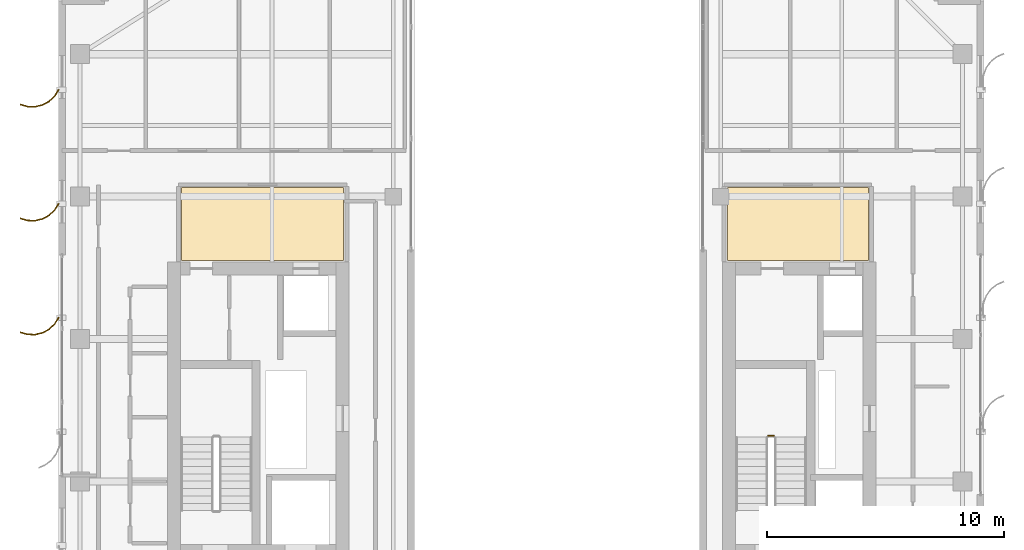
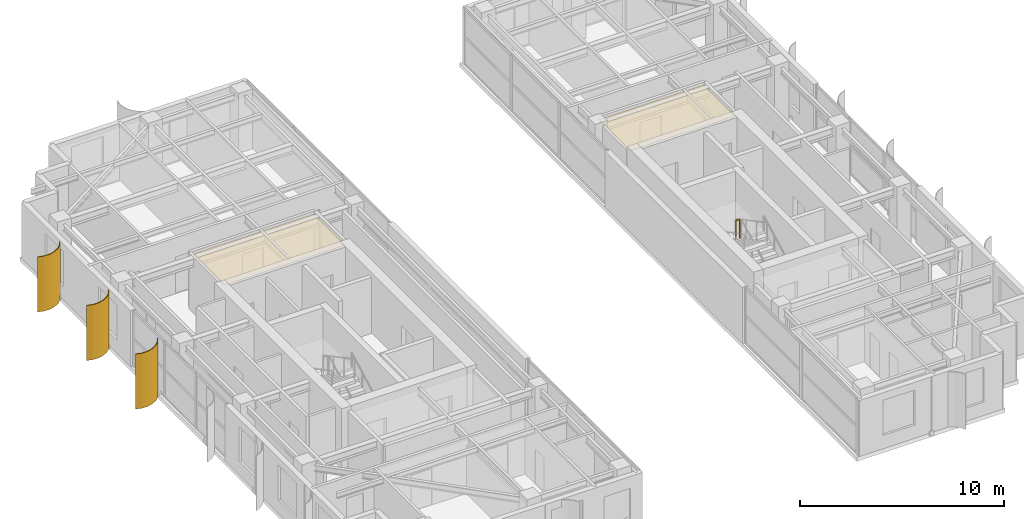
# One storey, part 23 of 24: 3 shading devices, 2 coverings, 1 railing.
"""IFC4 building model written with IfcOpenShell, lengths in metres."""

from ifc_helpers import new_model, si_unit, direction, frame, origin, origin_2d, place, context, subcontext, project, spatial, polyline, circle, outline, extrude, source, transform, mapped, material, layer, layer_set, type_object, element, save


model = new_model("IFC4")

# Units and contexts
model_context = context("Model", 3, precision=1e-05, world=origin(), true_north=direction((0.0, 1.0)))
body_context = subcontext(model_context, "Body", "Model", "MODEL_VIEW")
ifc_project = project(units=[si_unit("LENGTHUNIT", "METRE"), si_unit("AREAUNIT", "SQUARE_METRE"), si_unit("VOLUMEUNIT", "CUBIC_METRE"), si_unit("PLANEANGLEUNIT", "RADIAN"), si_unit("MASSUNIT", "GRAM", prefix="KILO")], contexts=[model_context])

# Site, building, storey
site_placement = place(None, origin())
site = spatial("IfcSite", under=ifc_project, at=site_placement, CompositionType="ELEMENT")
building_placement = place(site_placement, origin())
building = spatial("IfcBuilding", under=site, at=building_placement, Name="Khoralis Quay Care Tower", CompositionType="ELEMENT")
storey_placement = place(building_placement, frame((0.0, 0.0, 238.5)))
storey = spatial("IfcBuildingStorey", under=building, at=storey_placement, Name="L62", CompositionType="ELEMENT", Elevation=238.5)

# Coverings
ifc_material_1 = material(Name="Mineral-fibre acoustic ceiling tile")
ifc_layer_1 = layer(ifc_material_1, 0.01806640625)
ifc_layer_set_1 = layer_set([ifc_layer_1], Name="Mineral-fibre acoustic ceiling tile")
covering_type = type_object("IfcCoveringType", Name="COV-CEIL-AC18", PredefinedType="CEILING", material=ifc_layer_set_1)
covering_1_placement = place(storey_placement, frame((0.0, 0.0, 3.2119140625)))
element("IfcCovering", 1, at=covering_1_placement, inside=storey, type_object=covering_type, Name="Suspended Acoustic Ceiling SP-L62-LLOB-W", PredefinedType="CEILING", context=body_context, shape_type="SweptSolid", body=[
    extrude(outline(polyline([(8.179931640625, 27.300048828125), (15.02001953125, 27.300048828125), (15.02001953125, 30.389892578125), (8.179931640625, 30.389892578125), (8.179931640625, 27.300048828125)])), origin(), (0.0, 0.0, 1.0), 0.01806640625),
])
covering_2_placement = place(storey_placement, frame((0.0, 0.0, 3.2119140625)))
element("IfcCovering", 2, at=covering_2_placement, inside=storey, type_object=covering_type, Name="Suspended Acoustic Ceiling SP-L62-LLOB-E", PredefinedType="CEILING", context=body_context, shape_type="SweptSolid", body=[
    extrude(outline(polyline([(31.179931640625, 27.300048828125), (37.1201171875, 27.300048828125), (37.1201171875, 30.389892578125), (31.179931640625, 30.389892578125), (31.179931640625, 27.300048828125)])), origin(), (0.0, 0.0, 1.0), 0.01806640625),
])

# Railing
ifc_material_2 = material(Name="Brushed stainless steel", Category="steel")
railing_type = type_object("IfcRailingType", Name="RL-GUARD-1150", PredefinedType="GUARDRAIL", material=ifc_material_2)
railing_placement = place(storey_placement, frame((33.139892578125, 19.919921875, 1.800048828125)))
element("IfcRailing", 3, at=railing_placement, inside=storey, type_object=railing_type, Name="L62 ST-T2 stair guard 2", PredefinedType="GUARDRAIL", context=body_context, shape_type="SweptSolid", body=[
    extrude(circle(Radius=0.02392578125, at=origin_2d()), frame((0.0, 0.0, 1.1259765625), z_axis=(-1.0, 0.0, 0.0), x_axis=(0.0, -1.0, 0.0)), (0.0, 0.0, 1.0), 0.239990234375),
    extrude(circle(Radius=0.02099609375, at=origin_2d()), origin(), (0.0, 0.0, 1.0), 1.101806640625),
    extrude(circle(Radius=0.02099609375, at=origin_2d()), frame((-0.239990234375, 0.0, 0.0)), (0.0, 0.0, 1.0), 1.101806640625),
])

# Shading devices
ifc_material_3 = material(Name="Brushed pale anodised aluminium", Category="aluminium")
ifc_layer_2 = layer(ifc_material_3, 0.044921875)
ifc_layer_set_2 = layer_set([ifc_layer_2], Name="Brushed pale anodised aluminium")
shading_device_type = type_object("IfcShadingDeviceType", Name="SHD-FIN-1250", PredefinedType="USERDEFINED", material=ifc_layer_set_2)
shared_shape = source(origin(), body_context, "Body", "SweptSolid", [
    extrude(outline(polyline([(0.0, 0.0), (0.17041015625, 0.2783203125), (0.4072265625, 0.5029296875), (0.694091796875, 0.658447265625), (1.01123046875, 0.734619140625), (1.33740234375, 0.72607421875), (1.650390625, 0.633544921875), (1.632080078125, 0.59228515625), (1.330322265625, 0.681640625), (1.015869140625, 0.68994140625), (0.710205078125, 0.616455078125), (0.43359375, 0.466552734375), (0.20556640625, 0.25), (0.041015625, -0.018310546875), (0.0, 0.0)])), origin(), (0.0, 0.0, 1.0), 3.300048828125),
])
for number, where, z_axis, x_axis, name in (
    (4, (3.030029296875, 34.5, 0.02001953125), (0.0, 0.0, 1.0), (-1.0, 0.0, 0.0), "L62 Curved Solar Fin P1E7-01"),
    (5, (3.030029296875, 29.699951171875, 0.02001953125), (0.0, 0.0, 1.0), (-1.0, 0.0, 0.0), "L62 Curved Solar Fin P1E7-02"),
    (6, (3.030029296875, 24.89990234375, 0.02001953125), (0.0, 0.0, 1.0), (-1.0, 0.0, 0.0), "L62 Curved Solar Fin P1E7-03"),
):
    element("IfcShadingDevice", number, at=place(storey_placement, frame(where, z_axis=z_axis, x_axis=x_axis)), inside=storey, type_object=shading_device_type, Name=name, ObjectType="FIN", PredefinedType="USERDEFINED", context=body_context, shape_type="MappedRepresentation", body=[
        mapped(shared_shape, transform((0.0, 0.0, 0.0), scale=1.0)),
    ])

save(model, "model.ifc")
